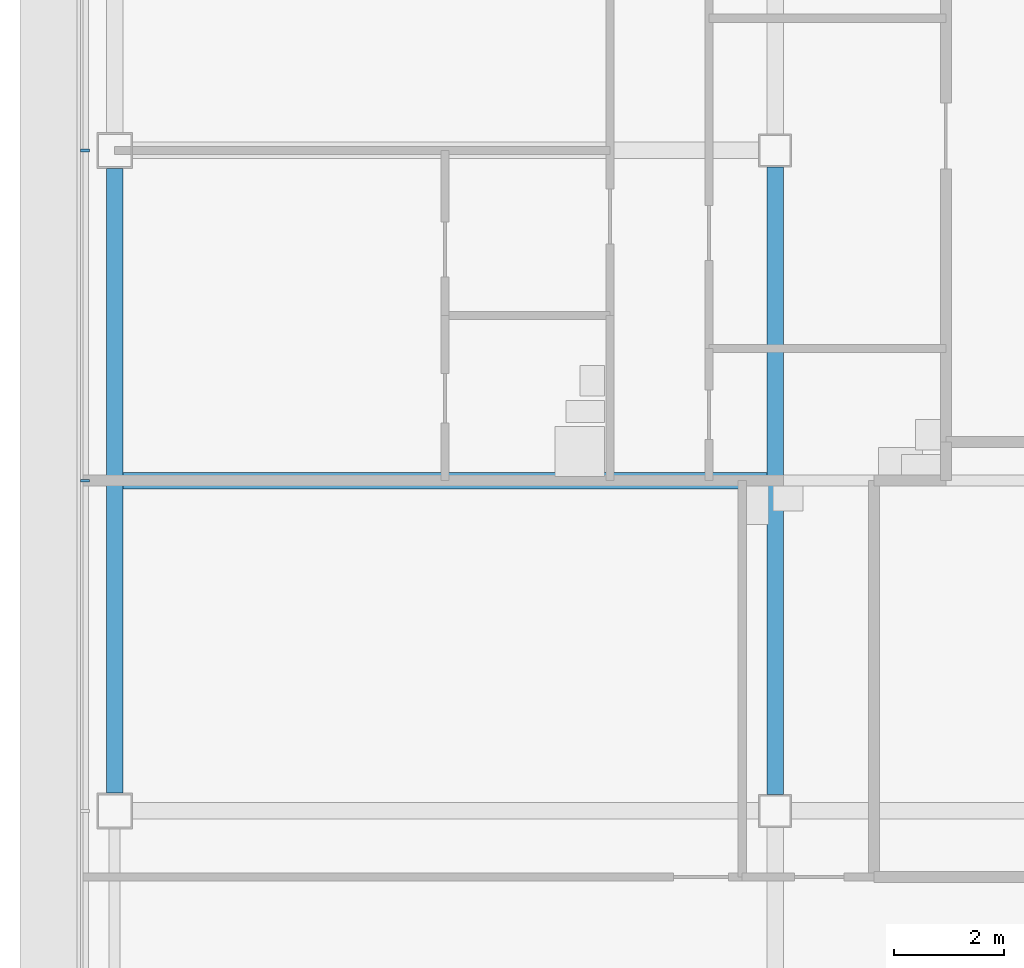
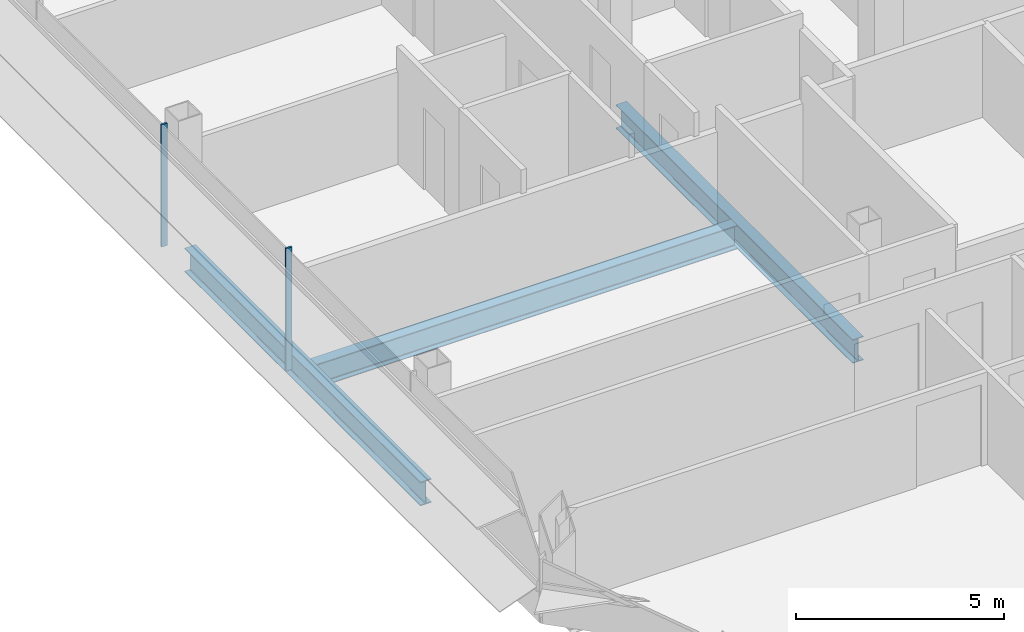
# One storey, part 4 of 26: 3 beams, 2 members, 1 element without a shape of its own.
"""IFC4 building model written with IfcOpenShell, lengths in metres."""

import ifcopenshell
import ifcopenshell.guid

model = None  # the IFC model being written
_history = None  # IfcOwnerHistory: only IFC2X3 demands one
_inside = {}  # id of a spatial element -> (the spatial element, [elements in it])
_under = {}  # id of a project, library or spatial element -> (it, [spatial elements below it])
_declared = {}  # id of a project -> (the project, [libraries it declares])
_typed = {}  # id of a type object -> (the type object, [elements of that type])
_made_of = {}  # id of a material, layer set ... -> (it, [elements and type objects made of it])


def new_model(schema):
    """Start an empty IFC model of exactly this schema.

    Asked for "IFC4X3", IfcOpenShell would pick the latest addendum, in which some entities
    have other attributes; the version numbers below select the first issue.
    IFC2X3 requires an IfcOwnerHistory on every rooted entity: one is made here for all.
    """
    global model, _history
    if schema == "IFC4X3":
        model = ifcopenshell.file(schema_version=(4, 3, 0, 0))
    else:
        model = ifcopenshell.file(schema=schema)
    _inside.clear()
    _under.clear()
    _declared.clear()
    _typed.clear()
    _made_of.clear()
    _history = None
    if model.schema == "IFC2X3":
        org = make("IfcOrganization", Name="unknown")
        user = make(
            "IfcPersonAndOrganization",
            ThePerson=make("IfcPerson", FamilyName="unknown"),
            TheOrganization=org,
        )
        app = make(
            "IfcApplication",
            ApplicationDeveloper=org,
            Version="unknown",
            ApplicationFullName="unknown",
            ApplicationIdentifier="unknown",
        )
        _history = make(
            "IfcOwnerHistory",
            OwningUser=user,
            OwningApplication=app,
            ChangeAction="ADDED",
            CreationDate=0,
        )
    return model


def make(cls, **values):
    """One entity of the class cls with the attributes given. An attribute that is None is left unset."""
    return model.create_entity(
        cls, **{name: value for name, value in values.items() if value is not None}
    )


def rooted(cls, **values):
    """An entity with a GlobalId (a new one), such as an element, a storey or a relation."""
    return make(cls, GlobalId=ifcopenshell.guid.new(), OwnerHistory=_history, **values)


def si_unit(unit_type, name, prefix=None):
    """IfcSIUnit, for example si_unit("LENGTHUNIT", "METRE", prefix="MILLI")."""
    return make("IfcSIUnit", UnitType=unit_type, Prefix=prefix, Name=name)


def assignment(units):
    """IfcUnitAssignment: the units of a project."""
    return None if units is None else make("IfcUnitAssignment", Units=units)


def point(xyz):
    """IfcCartesianPoint."""
    return None if xyz is None else make("IfcCartesianPoint", Coordinates=xyz)


def direction(xyz):
    """IfcDirection."""
    return None if xyz is None else make("IfcDirection", DirectionRatios=xyz)


def frame(location, z_axis=None, x_axis=None):
    """IfcAxis2Placement3D, a coordinate frame: its origin and axes. An axis left out is left unset."""
    return make(
        "IfcAxis2Placement3D",
        Location=point(location),
        Axis=direction(z_axis),
        RefDirection=direction(x_axis),
    )


def frame_2d(location, x_axis=None):
    """IfcAxis2Placement2D, a coordinate frame in the plane: its origin and x axis."""
    return make(
        "IfcAxis2Placement2D", Location=point(location), RefDirection=direction(x_axis)
    )


def origin():
    """The frame at (0, 0, 0) with its axes left unset."""
    return frame((0.0, 0.0, 0.0))


def origin_2d():
    """The frame at (0, 0) in the plane with its x axis left unset."""
    return frame_2d((0.0, 0.0))


def place(relative_to, where):
    """IfcLocalPlacement: puts the frame where relative to a parent placement (None: the world)."""
    return make(
        "IfcLocalPlacement", PlacementRelTo=relative_to, RelativePlacement=where
    )


def context(
    kind, dimensions, precision=None, world=None, true_north=None, identifier=None
):
    """IfcGeometricRepresentationContext, for example the 3D "Model" context."""
    return make(
        "IfcGeometricRepresentationContext",
        ContextIdentifier=identifier,
        ContextType=kind,
        CoordinateSpaceDimension=dimensions,
        Precision=precision,
        WorldCoordinateSystem=world,
        TrueNorth=true_north,
    )


def subcontext(parent, identifier, kind, view, scale=None):
    """IfcGeometricRepresentationSubContext, for example "Body" below "Model"."""
    return make(
        "IfcGeometricRepresentationSubContext",
        ContextIdentifier=identifier,
        ContextType=kind,
        ParentContext=parent,
        TargetScale=scale,
        TargetView=view,
    )


def project(units=None, contexts=None):
    """IfcProject with its units and contexts."""
    return rooted(
        "IfcProject",
        Name="project",
        RepresentationContexts=contexts,
        UnitsInContext=assignment(units),
    )


def spatial(cls, under=None, at=None, **own):
    """A site, building, storey or space (cls), placed at a placement, below another one or the project."""
    s = rooted(cls, ObjectPlacement=at, **own)
    if under is not None:
        _under.setdefault(under.id(), (under, []))[1].append(s)
    return s


def profile(cls, at=None, kind="AREA", **sizes):
    """A parametric profile (cls). Its sizes go by their IFC names, for example OverallWidth=200.0."""
    return make(cls, ProfileType=kind, Position=at, **sizes)


def rectangle(**sizes):
    """IfcRectangleProfileDef."""
    return profile("IfcRectangleProfileDef", **sizes)


def i_section(**sizes):
    """IfcIShapeProfileDef."""
    return profile("IfcIShapeProfileDef", **sizes)


def extrude(swept, where, along, depth):
    """IfcExtrudedAreaSolid: the profile swept, set in the frame where, extruded along a direction by depth."""
    return make(
        "IfcExtrudedAreaSolid",
        SweptArea=swept,
        Position=where,
        ExtrudedDirection=direction(along),
        Depth=depth,
    )


def shape(context_of_items, identifier, shape_type, items):
    """IfcShapeRepresentation: the items that make up one representation, for example the "Body"."""
    return make(
        "IfcShapeRepresentation",
        ContextOfItems=context_of_items,
        RepresentationIdentifier=identifier,
        RepresentationType=shape_type,
        Items=items,
    )


def material(Name=None, Category=None):
    """IfcMaterial."""
    return make("IfcMaterial", Name=Name, Category=Category)


def material_profile(
    of_material, cross_section, Name=None, Category=None, Priority=None
):
    """IfcMaterialProfile: a cross section and its material."""
    return make(
        "IfcMaterialProfile",
        Name=Name,
        Material=of_material,
        Profile=cross_section,
        Priority=Priority,
        Category=Category,
    )


def profile_set(profiles, Name=None, composite=None):
    """IfcMaterialProfileSet."""
    return make(
        "IfcMaterialProfileSet",
        Name=Name,
        MaterialProfiles=profiles,
        CompositeProfile=composite,
    )


def made_of(thing, what):
    """Note that an element or type object is made of a material, layer set ...; save() writes the relation."""
    if what is not None:
        _made_of.setdefault(what.id(), (what, []))[1].append(thing)
    return thing


def type_object(cls, material=None, **own):
    """A type object (cls), such as IfcWallType, which elements share."""
    return made_of(rooted(cls, **own), material)


def element(
    cls,
    number,
    at=None,
    inside=None,
    cuts=None,
    type_object=None,
    material=None,
    context=None,
    identifier="Body",
    shape_type=None,
    held_by="IfcProductDefinitionShape",
    body=None,
    shapes=None,
    **own,
):
    """One element of the class cls, such as IfcWall. Its Tag is "e" and its number.

    at: its placement. inside: the storey or other place that contains it. cuts: it is an
    opening in that element (IfcRelVoidsElement). A single representation is given by context,
    identifier, shape_type and body (its items); several are given by shapes. held_by: the class
    of the entity that holds the representations. save() writes the other relations.
    """
    e = rooted(cls, Tag="e%d" % number, ObjectPlacement=at, **own)
    if body is not None:
        shapes = [shape(context, identifier, shape_type, body)]
    if shapes is not None:
        e.Representation = make(held_by, Representations=shapes)
    if inside is not None:
        _inside.setdefault(inside.id(), (inside, []))[1].append(e)
    if cuts is not None:
        rooted(
            "IfcRelVoidsElement", RelatingBuildingElement=cuts, RelatedOpeningElement=e
        )
    if type_object is not None:
        _typed.setdefault(type_object.id(), (type_object, []))[1].append(e)
    return made_of(e, material)


def aggregate(whole, parts):
    """IfcRelAggregates: a whole, such as a stair, and the parts it consists of."""
    return rooted("IfcRelAggregates", RelatingObject=whole, RelatedObjects=parts)


def save(model, path):
    """Write the relations noted so far, then the file.

    IfcRelAggregates (storeys below a building ...), IfcRelContainedInSpatialStructure (elements
    in a storey), IfcRelDefinesByType, IfcRelAssociatesMaterial and IfcRelDeclares: one each for
    every whole, place, type object, material and project.
    """
    for whole, parts in _under.values():
        aggregate(whole, parts)
    for where, things in _inside.values():
        rooted(
            "IfcRelContainedInSpatialStructure",
            RelatedElements=things,
            RelatingStructure=where,
        )
    for kind, things in _typed.values():
        rooted("IfcRelDefinesByType", RelatedObjects=things, RelatingType=kind)
    for what, things in _made_of.values():
        rooted("IfcRelAssociatesMaterial", RelatedObjects=things, RelatingMaterial=what)
    for by, libraries in _declared.values():
        rooted("IfcRelDeclares", RelatingContext=by, RelatedDefinitions=libraries)
    model.write(path)


model = new_model("IFC4")

# Units and contexts
model_context = context("Model", 3, precision=1e-05, world=origin(), true_north=direction((0.0, 1.0)))
body_context = subcontext(model_context, "Body", "Model", "MODEL_VIEW")
ifc_project = project(units=[si_unit("LENGTHUNIT", "METRE"), si_unit("AREAUNIT", "SQUARE_METRE"), si_unit("VOLUMEUNIT", "CUBIC_METRE"), si_unit("PLANEANGLEUNIT", "RADIAN"), si_unit("MASSUNIT", "GRAM", prefix="KILO")], contexts=[model_context])

# Site, building, storey
site_placement = place(None, origin())
site = spatial("IfcSite", under=ifc_project, at=site_placement, CompositionType="ELEMENT")
building_placement = place(site_placement, origin())
building = spatial("IfcBuilding", under=site, at=building_placement, Name="Sorahane Residences", CompositionType="ELEMENT")
storey_placement = place(building_placement, frame((0.0, 0.0, 222.60009765625)))
storey = spatial("IfcBuildingStorey", under=building, at=storey_placement, Name="L52", CompositionType="ELEMENT", Elevation=222.60009765625)

# Curtain wall, members
ifc_material_1 = material(Name="Dark low-e glass and black anodised aluminium", Category="aluminium")
curtain_wall_type = type_object("IfcCurtainWallType", Name="Curtain wall CW-1 Typical unitised wall", PredefinedType="NOTDEFINED", material=ifc_material_1)
curtain_wall_placement = place(storey_placement, origin())
curtain_wall = element("IfcCurtainWall", 1, at=curtain_wall_placement, inside=storey, type_object=curtain_wall_type, Name="CW-1 curtain wall L52 W1", PredefinedType="NOTDEFINED")
ifc_material_2 = material(Name="Black anodised aluminium", Category="aluminium")
ifc_material_profile_1 = material_profile(ifc_material_2, rectangle(XDim=0.159912109375, YDim=0.050048828125, at=origin_2d()), Name="Curtain wall mullion CW-1 black anodised aluminium 50x160")
ifc_profile_set_1 = profile_set([ifc_material_profile_1], Name="Black anodised aluminium")
member_type = type_object("IfcMemberType", Name="Curtain wall mullion CW-1 black anodised aluminium 50x160", PredefinedType="MULLION", material=ifc_profile_set_1)
member_1_placement = place(storey_placement, frame((-12.5400390625, 24.0, -0.18017578125), z_axis=(0.0, 0.0, 1.0), x_axis=(-1.0, 0.0, 0.0)))
member_1 = element("IfcMember", 2, at=member_1_placement, type_object=member_type, Name="CW-1 mullion L52 W1.4", PredefinedType="MULLION", context=body_context, shape_type="SweptSolid", body=[
    extrude(rectangle(XDim=0.159912109375, YDim=0.050048828125, at=origin_2d()), origin(), (0.0, 0.0, 1.0), 3.60009765625),
])
member_2_placement = place(storey_placement, frame((-12.5400390625, 18.0, -0.18017578125), z_axis=(0.0, 0.0, 1.0), x_axis=(-1.0, 0.0, 0.0)))
member_2 = element("IfcMember", 3, at=member_2_placement, type_object=member_type, Name="CW-1 mullion L52 W1.5", PredefinedType="MULLION", context=body_context, shape_type="SweptSolid", body=[
    extrude(rectangle(XDim=0.159912109375, YDim=0.050048828125, at=origin_2d()), origin(), (0.0, 0.0, 1.0), 3.60009765625),
])
aggregate(curtain_wall, [member_1, member_2])

# Beams
ifc_material_3 = material(Name="Steel Q355B", Category="steel")
ifc_material_profile_2 = material_profile(ifc_material_3, i_section(OverallWidth=0.300048828125, OverallDepth=0.699951171875, WebThickness=0.012939453125, FlangeThickness=0.02392578125, FilletRadius=0.028076171875, at=origin_2d()), Name="HN 700x300x13x24")
ifc_profile_set_2 = profile_set([ifc_material_profile_2], Name="Steel Q355B")
beam_type = type_object("IfcBeamType", Name="Steel floor beam HN 700x300x13x24 Q355B", PredefinedType="BEAM", material=ifc_profile_set_2)
beam_1_placement = place(storey_placement, frame((-12.0, 12.324951171875, -0.530029296875), z_axis=(0.0, 1.0, 0.0), x_axis=(-1.0, 0.0, 0.0)))
element("IfcBeam", 4, at=beam_1_placement, inside=storey, type_object=beam_type, Name="Beam L52 021", PredefinedType="BEAM", context=body_context, shape_type="SweptSolid", body=[
    extrude(i_section(OverallWidth=0.300048828125, OverallDepth=0.699951171875, WebThickness=0.012939453125, FlangeThickness=0.02392578125, FilletRadius=0.028076171875, at=origin_2d()), origin(), (0.0, 0.0, 1.0), 11.35009765625),
])
beam_2_placement = place(storey_placement, frame((0.0, 12.300048828125, -0.530029296875), z_axis=(0.0, 1.0, 0.0), x_axis=(-1.0, 0.0, 0.0)))
element("IfcBeam", 5, at=beam_2_placement, inside=storey, type_object=beam_type, Name="Beam L52 025", PredefinedType="BEAM", context=body_context, shape_type="SweptSolid", body=[
    extrude(i_section(OverallWidth=0.300048828125, OverallDepth=0.699951171875, WebThickness=0.012939453125, FlangeThickness=0.02392578125, FilletRadius=0.028076171875, at=origin_2d()), origin(), (0.0, 0.0, 1.0), 11.39990234375),
])
beam_3_placement = place(storey_placement, frame((-11.85009765625, 18.0, -0.530029296875), z_axis=(1.0, 0.0, 0.0), x_axis=(0.0, 1.0, 0.0)))
element("IfcBeam", 6, at=beam_3_placement, inside=storey, type_object=beam_type, Name="Beam L52 078", PredefinedType="BEAM", context=body_context, shape_type="SweptSolid", body=[
    extrude(i_section(OverallWidth=0.300048828125, OverallDepth=0.699951171875, WebThickness=0.012939453125, FlangeThickness=0.02392578125, FilletRadius=0.028076171875, at=origin_2d()), origin(), (0.0, 0.0, 1.0), 11.7001953125),
])

save(model, "model.ifc")
